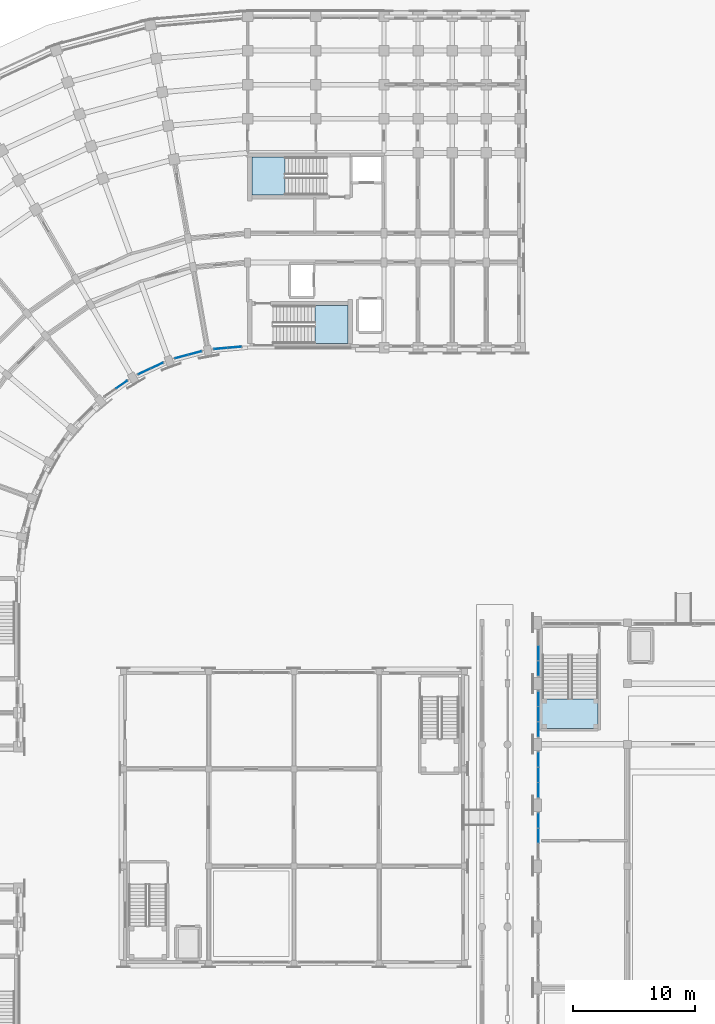
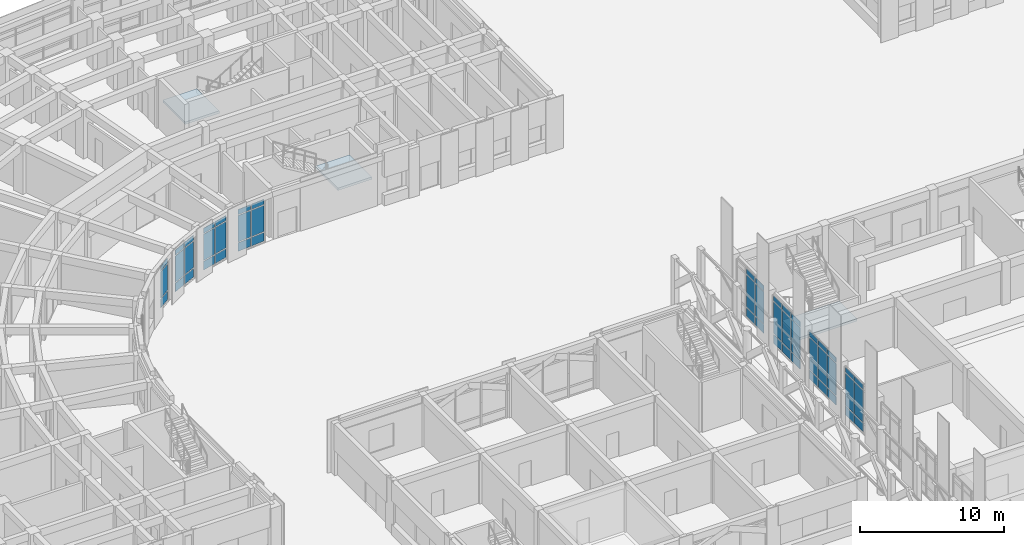
# One storey, part 67 of 135: 51 plates, 3 slabs, 11 elements without a shape of their own.
"""IFC4 building model written with IfcOpenShell, lengths in metres."""

from ifc_helpers import new_model, si_unit, direction, frame, origin, origin_2d, place, context, subcontext, project, spatial, polyline, rectangle, outline, extrude, material, layer, layer_set, type_object, element, aggregate, save


model = new_model("IFC4")

# Units and contexts
model_context = context("Model", 3, precision=1e-05, world=origin(), true_north=direction((0.0, 1.0)))
body_context = subcontext(model_context, "Body", "Model", "MODEL_VIEW")
ifc_project = project(units=[si_unit("LENGTHUNIT", "METRE"), si_unit("AREAUNIT", "SQUARE_METRE"), si_unit("VOLUMEUNIT", "CUBIC_METRE"), si_unit("PLANEANGLEUNIT", "RADIAN"), si_unit("MASSUNIT", "GRAM", prefix="KILO")], contexts=[model_context])

# Site, building, storey
site_placement = place(None, origin())
site = spatial("IfcSite", under=ifc_project, at=site_placement, CompositionType="ELEMENT")
building_placement = place(site_placement, origin())
building = spatial("IfcBuilding", under=site, at=building_placement, Name="Kiranvali Square Residences", CompositionType="ELEMENT")
storey_placement = place(building_placement, origin())
storey = spatial("IfcBuildingStorey", under=building, at=storey_placement, Name="L00", CompositionType="ELEMENT", Elevation=0.0)

# Curtain wall, plates
ifc_material_1 = material(Name="Anodised bronze aluminium framing", Category="aluminium")
curtain_wall_type_1 = type_object("IfcCurtainWallType", Name="CW-RET-SHOP", PredefinedType="USERDEFINED", material=ifc_material_1)
curtain_wall_1_placement = place(storey_placement, origin())
curtain_wall_1 = element("IfcCurtainWall", 1, at=curtain_wall_1_placement, inside=storey, type_object=curtain_wall_type_1, Name="Block A L00 garden foyer curtain wall 1", ObjectType="CURTAIN WALL", PredefinedType="USERDEFINED")
ifc_material_2 = material(Name="Solar-control low-e double glazing", Category="glass")
ifc_layer_1 = layer(ifc_material_2, 0.028076171875)
ifc_layer_set_1 = layer_set([ifc_layer_1], Name="Solar-control low-e double glazing")
plate_type_1 = type_object("IfcPlateType", Name="PLT-CW-GLZ", PredefinedType="CURTAIN_PANEL", material=ifc_layer_set_1)
plate_1_placement = place(storey_placement, frame((47.124267578125, 106.62646484375, 0.89013671875), z_axis=(0.0, 0.0, 1.0), x_axis=(-0.996194698092, -0.087155742748, 0.0)))
plate_1 = element("IfcPlate", 2, at=plate_1_placement, type_object=plate_type_1, Name="CW-A-L00-GDN-00 glazed panel 1.2", PredefinedType="CURTAIN_PANEL", context=body_context, shape_type="SweptSolid", body=[
    extrude(rectangle(XDim=1.05859375, YDim=0.028076171875, at=origin_2d()), origin(), (0.0, 0.0, 1.0), 2.219970703125),
])
plate_2_placement = place(storey_placement, frame((47.124267578125, 106.62646484375, 3.18994140625), z_axis=(0.0, 0.0, 1.0), x_axis=(-0.996194698092, -0.087155742748, 0.0)))
plate_2 = element("IfcPlate", 3, at=plate_2_placement, type_object=plate_type_1, Name="CW-A-L00-GDN-00 glazed panel 1.3", PredefinedType="CURTAIN_PANEL", context=body_context, shape_type="SweptSolid", body=[
    extrude(rectangle(XDim=1.05859375, YDim=0.028076171875, at=origin_2d()), origin(), (0.0, 0.0, 1.0), 0.429931640625),
])
plate_3_placement = place(storey_placement, frame((45.990234375, 106.527099609375, 0.89013671875), z_axis=(0.0, 0.0, 1.0), x_axis=(-0.996194698092, -0.087155742748, 0.0)))
plate_3 = element("IfcPlate", 4, at=plate_3_placement, type_object=plate_type_1, Name="CW-A-L00-GDN-00 glazed panel 2.2", PredefinedType="CURTAIN_PANEL", context=body_context, shape_type="SweptSolid", body=[
    extrude(rectangle(XDim=1.05859375, YDim=0.028076171875, at=origin_2d()), origin(), (0.0, 0.0, 1.0), 2.219970703125),
])
plate_4_placement = place(storey_placement, frame((45.990234375, 106.527099609375, 3.18994140625), z_axis=(0.0, 0.0, 1.0), x_axis=(-0.996194698092, -0.087155742748, 0.0)))
plate_4 = element("IfcPlate", 5, at=plate_4_placement, type_object=plate_type_1, Name="CW-A-L00-GDN-00 glazed panel 2.3", PredefinedType="CURTAIN_PANEL", context=body_context, shape_type="SweptSolid", body=[
    extrude(rectangle(XDim=1.05859375, YDim=0.028076171875, at=origin_2d()), origin(), (0.0, 0.0, 1.0), 0.429931640625),
])

curtain_wall_2_placement = place(storey_placement, origin())
curtain_wall_2 = element("IfcCurtainWall", 6, at=curtain_wall_2_placement, inside=storey, type_object=curtain_wall_type_1, Name="Block A L00 garden foyer curtain wall 2", ObjectType="CURTAIN WALL", PredefinedType="USERDEFINED")
plate_5_placement = place(storey_placement, frame((43.87158203125, 106.153564453125, 0.89013671875), z_axis=(0.0, 0.0, 1.0), x_axis=(-0.965925826289, -0.258819045103, 0.0)))
plate_5 = element("IfcPlate", 7, at=plate_5_placement, type_object=plate_type_1, Name="CW-A-L00-GDN-01 glazed panel 1.2", PredefinedType="CURTAIN_PANEL", context=body_context, shape_type="SweptSolid", body=[
    extrude(rectangle(XDim=1.05859375, YDim=0.028076171875, at=origin_2d()), origin(), (0.0, 0.0, 1.0), 2.219970703125),
])
plate_6_placement = place(storey_placement, frame((43.87158203125, 106.153564453125, 3.18994140625), z_axis=(0.0, 0.0, 1.0), x_axis=(-0.965925826289, -0.258819045103, 0.0)))
plate_6 = element("IfcPlate", 8, at=plate_6_placement, type_object=plate_type_1, Name="CW-A-L00-GDN-01 glazed panel 1.3", PredefinedType="CURTAIN_PANEL", context=body_context, shape_type="SweptSolid", body=[
    extrude(rectangle(XDim=1.05859375, YDim=0.028076171875, at=origin_2d()), origin(), (0.0, 0.0, 1.0), 0.429931640625),
])
plate_7_placement = place(storey_placement, frame((42.771728515625, 105.85888671875, 0.89013671875), z_axis=(0.0, 0.0, 1.0), x_axis=(-0.965925826289, -0.258819045103, 0.0)))
plate_7 = element("IfcPlate", 9, at=plate_7_placement, type_object=plate_type_1, Name="CW-A-L00-GDN-01 glazed panel 2.2", PredefinedType="CURTAIN_PANEL", context=body_context, shape_type="SweptSolid", body=[
    extrude(rectangle(XDim=1.05859375, YDim=0.028076171875, at=origin_2d()), origin(), (0.0, 0.0, 1.0), 2.219970703125),
])
plate_8_placement = place(storey_placement, frame((42.771728515625, 105.85888671875, 3.18994140625), z_axis=(0.0, 0.0, 1.0), x_axis=(-0.965925826289, -0.258819045103, 0.0)))
plate_8 = element("IfcPlate", 10, at=plate_8_placement, type_object=plate_type_1, Name="CW-A-L00-GDN-01 glazed panel 2.3", PredefinedType="CURTAIN_PANEL", context=body_context, shape_type="SweptSolid", body=[
    extrude(rectangle(XDim=1.05859375, YDim=0.028076171875, at=origin_2d()), origin(), (0.0, 0.0, 1.0), 0.429931640625),
])

curtain_wall_3_placement = place(storey_placement, origin())
curtain_wall_3 = element("IfcCurtainWall", 11, at=curtain_wall_3_placement, inside=storey, type_object=curtain_wall_type_1, Name="Block A L00 garden foyer curtain wall 3", ObjectType="CURTAIN WALL", PredefinedType="USERDEFINED")
plate_9_placement = place(storey_placement, frame((40.750244140625, 105.123046875, 0.89013671875), z_axis=(0.0, 0.0, 1.0), x_axis=(-0.906307787037, -0.422618261741, 0.0)))
plate_9 = element("IfcPlate", 12, at=plate_9_placement, type_object=plate_type_1, Name="CW-A-L00-GDN-02 glazed panel 1.2", PredefinedType="CURTAIN_PANEL", context=body_context, shape_type="SweptSolid", body=[
    extrude(rectangle(XDim=1.05859375, YDim=0.028076171875, at=origin_2d()), origin(), (0.0, 0.0, 1.0), 2.219970703125),
])
plate_10_placement = place(storey_placement, frame((40.750244140625, 105.123046875, 3.18994140625), z_axis=(0.0, 0.0, 1.0), x_axis=(-0.906307787037, -0.422618261741, 0.0)))
plate_10 = element("IfcPlate", 13, at=plate_10_placement, type_object=plate_type_1, Name="CW-A-L00-GDN-02 glazed panel 1.3", PredefinedType="CURTAIN_PANEL", context=body_context, shape_type="SweptSolid", body=[
    extrude(rectangle(XDim=1.05859375, YDim=0.028076171875, at=origin_2d()), origin(), (0.0, 0.0, 1.0), 0.429931640625),
])
plate_11_placement = place(storey_placement, frame((39.71826171875, 104.641845703125, 0.89013671875), z_axis=(0.0, 0.0, 1.0), x_axis=(-0.906307787037, -0.422618261741, 0.0)))
plate_11 = element("IfcPlate", 14, at=plate_11_placement, type_object=plate_type_1, Name="CW-A-L00-GDN-02 glazed panel 2.2", PredefinedType="CURTAIN_PANEL", context=body_context, shape_type="SweptSolid", body=[
    extrude(rectangle(XDim=1.05859375, YDim=0.028076171875, at=origin_2d()), origin(), (0.0, 0.0, 1.0), 2.219970703125),
])
plate_12_placement = place(storey_placement, frame((39.71826171875, 104.641845703125, 3.18994140625), z_axis=(0.0, 0.0, 1.0), x_axis=(-0.906307787037, -0.422618261741, 0.0)))
plate_12 = element("IfcPlate", 15, at=plate_12_placement, type_object=plate_type_1, Name="CW-A-L00-GDN-02 glazed panel 2.3", PredefinedType="CURTAIN_PANEL", context=body_context, shape_type="SweptSolid", body=[
    extrude(rectangle(XDim=1.05859375, YDim=0.028076171875, at=origin_2d()), origin(), (0.0, 0.0, 1.0), 0.429931640625),
])

curtain_wall_4_placement = place(storey_placement, origin())
curtain_wall_4 = element("IfcCurtainWall", 16, at=curtain_wall_4_placement, inside=storey, type_object=curtain_wall_type_1, Name="Block A L00 garden foyer curtain wall 4", ObjectType="CURTAIN WALL", PredefinedType="USERDEFINED")
plate_13_placement = place(storey_placement, frame((37.855224609375, 103.566162109375, 0.89013671875), z_axis=(0.0, 0.0, 1.0), x_axis=(-0.819152044289, -0.573576436351, 0.0)))
plate_13 = element("IfcPlate", 17, at=plate_13_placement, type_object=plate_type_1, Name="CW-A-L00-GDN-03 glazed panel 1.2", PredefinedType="CURTAIN_PANEL", context=body_context, shape_type="SweptSolid", body=[
    extrude(rectangle(XDim=1.05859375, YDim=0.028076171875, at=origin_2d()), origin(), (0.0, 0.0, 1.0), 2.219970703125),
])
plate_14_placement = place(storey_placement, frame((37.855224609375, 103.566162109375, 3.18994140625), z_axis=(0.0, 0.0, 1.0), x_axis=(-0.819152044289, -0.573576436351, 0.0)))
plate_14 = element("IfcPlate", 18, at=plate_14_placement, type_object=plate_type_1, Name="CW-A-L00-GDN-03 glazed panel 1.3", PredefinedType="CURTAIN_PANEL", context=body_context, shape_type="SweptSolid", body=[
    extrude(rectangle(XDim=1.05859375, YDim=0.028076171875, at=origin_2d()), origin(), (0.0, 0.0, 1.0), 0.429931640625),
])

curtain_wall_type_2 = type_object("IfcCurtainWallType", Name="CW-CH-GLZ", PredefinedType="USERDEFINED", material=ifc_material_1)
curtain_wall_5_placement = place(storey_placement, origin())
curtain_wall_5 = element("IfcCurtainWall", 19, at=curtain_wall_5_placement, inside=storey, type_object=curtain_wall_type_2, Name="Community Hall L00 W glazed arcade bay 5", ObjectType="CURTAIN WALL", PredefinedType="USERDEFINED")
plate_15_placement = place(storey_placement, frame((72.080078125, 66.5, 0.89013671875), z_axis=(0.0, 0.0, 1.0), x_axis=(0.0, 1.0, 0.0)))
plate_15 = element("IfcPlate", 20, at=plate_15_placement, type_object=plate_type_1, Name="CW-CH-L00-W5 glazed panel 2.2", PredefinedType="CURTAIN_PANEL", context=body_context, shape_type="SweptSolid", body=[
    extrude(rectangle(XDim=1.166748046875, YDim=0.028076171875, at=origin_2d()), origin(), (0.0, 0.0, 1.0), 2.699951171875),
])
plate_16_placement = place(storey_placement, frame((72.080078125, 66.5, 3.669921875), z_axis=(0.0, 0.0, 1.0), x_axis=(0.0, 1.0, 0.0)))
plate_16 = element("IfcPlate", 21, at=plate_16_placement, type_object=plate_type_1, Name="CW-CH-L00-W5 glazed panel 2.3", PredefinedType="CURTAIN_PANEL", context=body_context, shape_type="SweptSolid", body=[
    extrude(rectangle(XDim=1.166748046875, YDim=0.028076171875, at=origin_2d()), origin(), (0.0, 0.0, 1.0), 0.429931640625),
])
plate_17_placement = place(storey_placement, frame((72.080078125, 67.74658203125, 0.89013671875), z_axis=(0.0, 0.0, 1.0), x_axis=(0.0, 1.0, 0.0)))
plate_17 = element("IfcPlate", 22, at=plate_17_placement, type_object=plate_type_1, Name="CW-CH-L00-W5 glazed panel 3.2", PredefinedType="CURTAIN_PANEL", context=body_context, shape_type="SweptSolid", body=[
    extrude(rectangle(XDim=1.166748046875, YDim=0.028076171875, at=origin_2d()), origin(), (0.0, 0.0, 1.0), 2.699951171875),
])
plate_18_placement = place(storey_placement, frame((72.080078125, 67.74658203125, 3.669921875), z_axis=(0.0, 0.0, 1.0), x_axis=(0.0, 1.0, 0.0)))
plate_18 = element("IfcPlate", 23, at=plate_18_placement, type_object=plate_type_1, Name="CW-CH-L00-W5 glazed panel 3.3", PredefinedType="CURTAIN_PANEL", context=body_context, shape_type="SweptSolid", body=[
    extrude(rectangle(XDim=1.166748046875, YDim=0.028076171875, at=origin_2d()), origin(), (0.0, 0.0, 1.0), 0.429931640625),
])

curtain_wall_6_placement = place(storey_placement, origin())
curtain_wall_6 = element("IfcCurtainWall", 24, at=curtain_wall_6_placement, inside=storey, type_object=curtain_wall_type_2, Name="Community Hall L00 W glazed arcade bay 6", ObjectType="CURTAIN WALL", PredefinedType="USERDEFINED")
plate_19_placement = place(storey_placement, frame((72.080078125, 70.25341796875, 0.89013671875), z_axis=(0.0, 0.0, 1.0), x_axis=(0.0, 1.0, 0.0)))
plate_19 = element("IfcPlate", 25, at=plate_19_placement, type_object=plate_type_1, Name="CW-CH-L00-W6 glazed panel 1.2", PredefinedType="CURTAIN_PANEL", context=body_context, shape_type="SweptSolid", body=[
    extrude(rectangle(XDim=1.166748046875, YDim=0.028076171875, at=origin_2d()), origin(), (0.0, 0.0, 1.0), 2.699951171875),
])
plate_20_placement = place(storey_placement, frame((72.080078125, 70.25341796875, 3.669921875), z_axis=(0.0, 0.0, 1.0), x_axis=(0.0, 1.0, 0.0)))
plate_20 = element("IfcPlate", 26, at=plate_20_placement, type_object=plate_type_1, Name="CW-CH-L00-W6 glazed panel 1.3", PredefinedType="CURTAIN_PANEL", context=body_context, shape_type="SweptSolid", body=[
    extrude(rectangle(XDim=1.166748046875, YDim=0.028076171875, at=origin_2d()), origin(), (0.0, 0.0, 1.0), 0.429931640625),
])
plate_21_placement = place(storey_placement, frame((72.080078125, 71.5, 0.89013671875), z_axis=(0.0, 0.0, 1.0), x_axis=(0.0, 1.0, 0.0)))
plate_21 = element("IfcPlate", 27, at=plate_21_placement, type_object=plate_type_1, Name="CW-CH-L00-W6 glazed panel 2.2", PredefinedType="CURTAIN_PANEL", context=body_context, shape_type="SweptSolid", body=[
    extrude(rectangle(XDim=1.166748046875, YDim=0.028076171875, at=origin_2d()), origin(), (0.0, 0.0, 1.0), 2.699951171875),
])
plate_22_placement = place(storey_placement, frame((72.080078125, 71.5, 3.669921875), z_axis=(0.0, 0.0, 1.0), x_axis=(0.0, 1.0, 0.0)))
plate_22 = element("IfcPlate", 28, at=plate_22_placement, type_object=plate_type_1, Name="CW-CH-L00-W6 glazed panel 2.3", PredefinedType="CURTAIN_PANEL", context=body_context, shape_type="SweptSolid", body=[
    extrude(rectangle(XDim=1.166748046875, YDim=0.028076171875, at=origin_2d()), origin(), (0.0, 0.0, 1.0), 0.429931640625),
])
plate_23_placement = place(storey_placement, frame((72.080078125, 72.74658203125, 0.89013671875), z_axis=(0.0, 0.0, 1.0), x_axis=(0.0, 1.0, 0.0)))
plate_23 = element("IfcPlate", 29, at=plate_23_placement, type_object=plate_type_1, Name="CW-CH-L00-W6 glazed panel 3.2", PredefinedType="CURTAIN_PANEL", context=body_context, shape_type="SweptSolid", body=[
    extrude(rectangle(XDim=1.166748046875, YDim=0.028076171875, at=origin_2d()), origin(), (0.0, 0.0, 1.0), 2.699951171875),
])
plate_24_placement = place(storey_placement, frame((72.080078125, 72.74658203125, 3.669921875), z_axis=(0.0, 0.0, 1.0), x_axis=(0.0, 1.0, 0.0)))
plate_24 = element("IfcPlate", 30, at=plate_24_placement, type_object=plate_type_1, Name="CW-CH-L00-W6 glazed panel 3.3", PredefinedType="CURTAIN_PANEL", context=body_context, shape_type="SweptSolid", body=[
    extrude(rectangle(XDim=1.166748046875, YDim=0.028076171875, at=origin_2d()), origin(), (0.0, 0.0, 1.0), 0.429931640625),
])

curtain_wall_7_placement = place(storey_placement, origin())
curtain_wall_7 = element("IfcCurtainWall", 31, at=curtain_wall_7_placement, inside=storey, type_object=curtain_wall_type_2, Name="Community Hall L00 W glazed arcade bay 7", ObjectType="CURTAIN WALL", PredefinedType="USERDEFINED")
plate_25_placement = place(storey_placement, frame((72.080078125, 75.25341796875, 0.89013671875), z_axis=(0.0, 0.0, 1.0), x_axis=(0.0, 1.0, 0.0)))
plate_25 = element("IfcPlate", 32, at=plate_25_placement, type_object=plate_type_1, Name="CW-CH-L00-W7 glazed panel 1.2", PredefinedType="CURTAIN_PANEL", context=body_context, shape_type="SweptSolid", body=[
    extrude(rectangle(XDim=1.166748046875, YDim=0.028076171875, at=origin_2d()), origin(), (0.0, 0.0, 1.0), 2.699951171875),
])
plate_26_placement = place(storey_placement, frame((72.080078125, 75.25341796875, 3.669921875), z_axis=(0.0, 0.0, 1.0), x_axis=(0.0, 1.0, 0.0)))
plate_26 = element("IfcPlate", 33, at=plate_26_placement, type_object=plate_type_1, Name="CW-CH-L00-W7 glazed panel 1.3", PredefinedType="CURTAIN_PANEL", context=body_context, shape_type="SweptSolid", body=[
    extrude(rectangle(XDim=1.166748046875, YDim=0.028076171875, at=origin_2d()), origin(), (0.0, 0.0, 1.0), 0.429931640625),
])
plate_27_placement = place(storey_placement, frame((72.080078125, 76.5, 0.89013671875), z_axis=(0.0, 0.0, 1.0), x_axis=(0.0, 1.0, 0.0)))
plate_27 = element("IfcPlate", 34, at=plate_27_placement, type_object=plate_type_1, Name="CW-CH-L00-W7 glazed panel 2.2", PredefinedType="CURTAIN_PANEL", context=body_context, shape_type="SweptSolid", body=[
    extrude(rectangle(XDim=1.166748046875, YDim=0.028076171875, at=origin_2d()), origin(), (0.0, 0.0, 1.0), 2.699951171875),
])
plate_28_placement = place(storey_placement, frame((72.080078125, 76.5, 3.669921875), z_axis=(0.0, 0.0, 1.0), x_axis=(0.0, 1.0, 0.0)))
plate_28 = element("IfcPlate", 35, at=plate_28_placement, type_object=plate_type_1, Name="CW-CH-L00-W7 glazed panel 2.3", PredefinedType="CURTAIN_PANEL", context=body_context, shape_type="SweptSolid", body=[
    extrude(rectangle(XDim=1.166748046875, YDim=0.028076171875, at=origin_2d()), origin(), (0.0, 0.0, 1.0), 0.429931640625),
])
plate_29_placement = place(storey_placement, frame((72.080078125, 77.74658203125, 0.89013671875), z_axis=(0.0, 0.0, 1.0), x_axis=(0.0, 1.0, 0.0)))
plate_29 = element("IfcPlate", 36, at=plate_29_placement, type_object=plate_type_1, Name="CW-CH-L00-W7 glazed panel 3.2", PredefinedType="CURTAIN_PANEL", context=body_context, shape_type="SweptSolid", body=[
    extrude(rectangle(XDim=1.166748046875, YDim=0.028076171875, at=origin_2d()), origin(), (0.0, 0.0, 1.0), 2.699951171875),
])
plate_30_placement = place(storey_placement, frame((72.080078125, 77.74658203125, 3.669921875), z_axis=(0.0, 0.0, 1.0), x_axis=(0.0, 1.0, 0.0)))
plate_30 = element("IfcPlate", 37, at=plate_30_placement, type_object=plate_type_1, Name="CW-CH-L00-W7 glazed panel 3.3", PredefinedType="CURTAIN_PANEL", context=body_context, shape_type="SweptSolid", body=[
    extrude(rectangle(XDim=1.166748046875, YDim=0.028076171875, at=origin_2d()), origin(), (0.0, 0.0, 1.0), 0.429931640625),
])

curtain_wall_8_placement = place(storey_placement, origin())
curtain_wall_8 = element("IfcCurtainWall", 38, at=curtain_wall_8_placement, inside=storey, type_object=curtain_wall_type_2, Name="Community Hall L00 W glazed arcade bay 8", ObjectType="CURTAIN WALL", PredefinedType="USERDEFINED")
plate_31_placement = place(storey_placement, frame((72.080078125, 80.25341796875, 0.89013671875), z_axis=(0.0, 0.0, 1.0), x_axis=(0.0, 1.0, 0.0)))
plate_31 = element("IfcPlate", 39, at=plate_31_placement, type_object=plate_type_1, Name="CW-CH-L00-W8 glazed panel 1.2", PredefinedType="CURTAIN_PANEL", context=body_context, shape_type="SweptSolid", body=[
    extrude(rectangle(XDim=1.166748046875, YDim=0.028076171875, at=origin_2d()), origin(), (0.0, 0.0, 1.0), 2.699951171875),
])
plate_32_placement = place(storey_placement, frame((72.080078125, 80.25341796875, 3.669921875), z_axis=(0.0, 0.0, 1.0), x_axis=(0.0, 1.0, 0.0)))
plate_32 = element("IfcPlate", 40, at=plate_32_placement, type_object=plate_type_1, Name="CW-CH-L00-W8 glazed panel 1.3", PredefinedType="CURTAIN_PANEL", context=body_context, shape_type="SweptSolid", body=[
    extrude(rectangle(XDim=1.166748046875, YDim=0.028076171875, at=origin_2d()), origin(), (0.0, 0.0, 1.0), 0.429931640625),
])
plate_33_placement = place(storey_placement, frame((72.080078125, 81.5, 0.89013671875), z_axis=(0.0, 0.0, 1.0), x_axis=(0.0, 1.0, 0.0)))
plate_33 = element("IfcPlate", 41, at=plate_33_placement, type_object=plate_type_1, Name="CW-CH-L00-W8 glazed panel 2.2", PredefinedType="CURTAIN_PANEL", context=body_context, shape_type="SweptSolid", body=[
    extrude(rectangle(XDim=1.166748046875, YDim=0.028076171875, at=origin_2d()), origin(), (0.0, 0.0, 1.0), 2.699951171875),
])
plate_34_placement = place(storey_placement, frame((72.080078125, 81.5, 3.669921875), z_axis=(0.0, 0.0, 1.0), x_axis=(0.0, 1.0, 0.0)))
plate_34 = element("IfcPlate", 42, at=plate_34_placement, type_object=plate_type_1, Name="CW-CH-L00-W8 glazed panel 2.3", PredefinedType="CURTAIN_PANEL", context=body_context, shape_type="SweptSolid", body=[
    extrude(rectangle(XDim=1.166748046875, YDim=0.028076171875, at=origin_2d()), origin(), (0.0, 0.0, 1.0), 0.429931640625),
])

# Plate
ifc_material_3 = material(Name="Honed Porbandar limestone ashlar facade cladding", Category="masonry")
ifc_layer_2 = layer(ifc_material_3, 0.02392578125)
ifc_layer_set_2 = layer_set([ifc_layer_2], Name="Honed Porbandar limestone ashlar facade cladding")
plate_type_2 = type_object("IfcPlateType", Name="PLT-CW-SPN", PredefinedType="SHEET", material=ifc_layer_set_2)
plate_35_placement = place(storey_placement, frame((47.124267578125, 106.62646484375, 0.080078125), z_axis=(0.0, 0.0, 1.0), x_axis=(-0.996194698092, -0.087155742748, 0.0)))
plate_35 = element("IfcPlate", 43, at=plate_35_placement, type_object=plate_type_2, Name="CW-A-L00-GDN-00 spandrel panel 1.1", PredefinedType="SHEET", context=body_context, shape_type="SweptSolid", body=[
    extrude(rectangle(XDim=1.05859375, YDim=0.02392578125, at=origin_2d()), origin(), (0.0, 0.0, 1.0), 0.72998046875),
])

plate_36_placement = place(storey_placement, frame((45.990234375, 106.527099609375, 0.080078125), z_axis=(0.0, 0.0, 1.0), x_axis=(-0.996194698092, -0.087155742748, 0.0)))
plate_36 = element("IfcPlate", 44, at=plate_36_placement, type_object=plate_type_2, Name="CW-A-L00-GDN-00 spandrel panel 2.1", PredefinedType="SHEET", context=body_context, shape_type="SweptSolid", body=[
    extrude(rectangle(XDim=1.05859375, YDim=0.02392578125, at=origin_2d()), origin(), (0.0, 0.0, 1.0), 0.72998046875),
])

aggregate(curtain_wall_1, [plate_35, plate_1, plate_2, plate_36, plate_3, plate_4])

plate_37_placement = place(storey_placement, frame((43.87158203125, 106.153564453125, 0.080078125), z_axis=(0.0, 0.0, 1.0), x_axis=(-0.965925826289, -0.258819045103, 0.0)))
plate_37 = element("IfcPlate", 45, at=plate_37_placement, type_object=plate_type_2, Name="CW-A-L00-GDN-01 spandrel panel 1.1", PredefinedType="SHEET", context=body_context, shape_type="SweptSolid", body=[
    extrude(rectangle(XDim=1.05859375, YDim=0.02392578125, at=origin_2d()), origin(), (0.0, 0.0, 1.0), 0.72998046875),
])

plate_38_placement = place(storey_placement, frame((42.771728515625, 105.85888671875, 0.080078125), z_axis=(0.0, 0.0, 1.0), x_axis=(-0.965925826289, -0.258819045103, 0.0)))
plate_38 = element("IfcPlate", 46, at=plate_38_placement, type_object=plate_type_2, Name="CW-A-L00-GDN-01 spandrel panel 2.1", PredefinedType="SHEET", context=body_context, shape_type="SweptSolid", body=[
    extrude(rectangle(XDim=1.05859375, YDim=0.02392578125, at=origin_2d()), origin(), (0.0, 0.0, 1.0), 0.72998046875),
])

aggregate(curtain_wall_2, [plate_37, plate_5, plate_6, plate_38, plate_7, plate_8])

plate_39_placement = place(storey_placement, frame((40.750244140625, 105.123046875, 0.080078125), z_axis=(0.0, 0.0, 1.0), x_axis=(-0.906307787037, -0.422618261741, 0.0)))
plate_39 = element("IfcPlate", 47, at=plate_39_placement, type_object=plate_type_2, Name="CW-A-L00-GDN-02 spandrel panel 1.1", PredefinedType="SHEET", context=body_context, shape_type="SweptSolid", body=[
    extrude(rectangle(XDim=1.05859375, YDim=0.02392578125, at=origin_2d()), origin(), (0.0, 0.0, 1.0), 0.72998046875),
])

plate_40_placement = place(storey_placement, frame((39.71826171875, 104.641845703125, 0.080078125), z_axis=(0.0, 0.0, 1.0), x_axis=(-0.906307787037, -0.422618261741, 0.0)))
plate_40 = element("IfcPlate", 48, at=plate_40_placement, type_object=plate_type_2, Name="CW-A-L00-GDN-02 spandrel panel 2.1", PredefinedType="SHEET", context=body_context, shape_type="SweptSolid", body=[
    extrude(rectangle(XDim=1.05859375, YDim=0.02392578125, at=origin_2d()), origin(), (0.0, 0.0, 1.0), 0.72998046875),
])

aggregate(curtain_wall_3, [plate_39, plate_9, plate_10, plate_40, plate_11, plate_12])

plate_41_placement = place(storey_placement, frame((37.855224609375, 103.566162109375, 0.080078125), z_axis=(0.0, 0.0, 1.0), x_axis=(-0.819152044289, -0.573576436351, 0.0)))
plate_41 = element("IfcPlate", 49, at=plate_41_placement, type_object=plate_type_2, Name="CW-A-L00-GDN-03 spandrel panel 1.1", PredefinedType="SHEET", context=body_context, shape_type="SweptSolid", body=[
    extrude(rectangle(XDim=1.05859375, YDim=0.02392578125, at=origin_2d()), origin(), (0.0, 0.0, 1.0), 0.72998046875),
])

aggregate(curtain_wall_4, [plate_41, plate_13, plate_14])

plate_42_placement = place(storey_placement, frame((72.080078125, 66.5, 0.080078125), z_axis=(0.0, 0.0, 1.0), x_axis=(0.0, 1.0, 0.0)))
plate_42 = element("IfcPlate", 50, at=plate_42_placement, type_object=plate_type_2, Name="CW-CH-L00-W5 spandrel panel 2.1", PredefinedType="SHEET", context=body_context, shape_type="SweptSolid", body=[
    extrude(rectangle(XDim=1.166748046875, YDim=0.02392578125, at=origin_2d()), origin(), (0.0, 0.0, 1.0), 0.72998046875),
])

plate_43_placement = place(storey_placement, frame((72.080078125, 67.74658203125, 0.080078125), z_axis=(0.0, 0.0, 1.0), x_axis=(0.0, 1.0, 0.0)))
plate_43 = element("IfcPlate", 51, at=plate_43_placement, type_object=plate_type_2, Name="CW-CH-L00-W5 spandrel panel 3.1", PredefinedType="SHEET", context=body_context, shape_type="SweptSolid", body=[
    extrude(rectangle(XDim=1.166748046875, YDim=0.02392578125, at=origin_2d()), origin(), (0.0, 0.0, 1.0), 0.72998046875),
])

aggregate(curtain_wall_5, [plate_42, plate_15, plate_16, plate_43, plate_17, plate_18])

plate_44_placement = place(storey_placement, frame((72.080078125, 70.25341796875, 0.080078125), z_axis=(0.0, 0.0, 1.0), x_axis=(0.0, 1.0, 0.0)))
plate_44 = element("IfcPlate", 52, at=plate_44_placement, type_object=plate_type_2, Name="CW-CH-L00-W6 spandrel panel 1.1", PredefinedType="SHEET", context=body_context, shape_type="SweptSolid", body=[
    extrude(rectangle(XDim=1.166748046875, YDim=0.02392578125, at=origin_2d()), origin(), (0.0, 0.0, 1.0), 0.72998046875),
])

plate_45_placement = place(storey_placement, frame((72.080078125, 71.5, 0.080078125), z_axis=(0.0, 0.0, 1.0), x_axis=(0.0, 1.0, 0.0)))
plate_45 = element("IfcPlate", 53, at=plate_45_placement, type_object=plate_type_2, Name="CW-CH-L00-W6 spandrel panel 2.1", PredefinedType="SHEET", context=body_context, shape_type="SweptSolid", body=[
    extrude(rectangle(XDim=1.166748046875, YDim=0.02392578125, at=origin_2d()), origin(), (0.0, 0.0, 1.0), 0.72998046875),
])

plate_46_placement = place(storey_placement, frame((72.080078125, 72.74658203125, 0.080078125), z_axis=(0.0, 0.0, 1.0), x_axis=(0.0, 1.0, 0.0)))
plate_46 = element("IfcPlate", 54, at=plate_46_placement, type_object=plate_type_2, Name="CW-CH-L00-W6 spandrel panel 3.1", PredefinedType="SHEET", context=body_context, shape_type="SweptSolid", body=[
    extrude(rectangle(XDim=1.166748046875, YDim=0.02392578125, at=origin_2d()), origin(), (0.0, 0.0, 1.0), 0.72998046875),
])

aggregate(curtain_wall_6, [plate_44, plate_19, plate_20, plate_45, plate_21, plate_22, plate_46, plate_23, plate_24])

plate_47_placement = place(storey_placement, frame((72.080078125, 75.25341796875, 0.080078125), z_axis=(0.0, 0.0, 1.0), x_axis=(0.0, 1.0, 0.0)))
plate_47 = element("IfcPlate", 55, at=plate_47_placement, type_object=plate_type_2, Name="CW-CH-L00-W7 spandrel panel 1.1", PredefinedType="SHEET", context=body_context, shape_type="SweptSolid", body=[
    extrude(rectangle(XDim=1.166748046875, YDim=0.02392578125, at=origin_2d()), origin(), (0.0, 0.0, 1.0), 0.72998046875),
])

plate_48_placement = place(storey_placement, frame((72.080078125, 76.5, 0.080078125), z_axis=(0.0, 0.0, 1.0), x_axis=(0.0, 1.0, 0.0)))
plate_48 = element("IfcPlate", 56, at=plate_48_placement, type_object=plate_type_2, Name="CW-CH-L00-W7 spandrel panel 2.1", PredefinedType="SHEET", context=body_context, shape_type="SweptSolid", body=[
    extrude(rectangle(XDim=1.166748046875, YDim=0.02392578125, at=origin_2d()), origin(), (0.0, 0.0, 1.0), 0.72998046875),
])

plate_49_placement = place(storey_placement, frame((72.080078125, 77.74658203125, 0.080078125), z_axis=(0.0, 0.0, 1.0), x_axis=(0.0, 1.0, 0.0)))
plate_49 = element("IfcPlate", 57, at=plate_49_placement, type_object=plate_type_2, Name="CW-CH-L00-W7 spandrel panel 3.1", PredefinedType="SHEET", context=body_context, shape_type="SweptSolid", body=[
    extrude(rectangle(XDim=1.166748046875, YDim=0.02392578125, at=origin_2d()), origin(), (0.0, 0.0, 1.0), 0.72998046875),
])

aggregate(curtain_wall_7, [plate_47, plate_25, plate_26, plate_48, plate_27, plate_28, plate_49, plate_29, plate_30])

plate_50_placement = place(storey_placement, frame((72.080078125, 80.25341796875, 0.080078125), z_axis=(0.0, 0.0, 1.0), x_axis=(0.0, 1.0, 0.0)))
plate_50 = element("IfcPlate", 58, at=plate_50_placement, type_object=plate_type_2, Name="CW-CH-L00-W8 spandrel panel 1.1", PredefinedType="SHEET", context=body_context, shape_type="SweptSolid", body=[
    extrude(rectangle(XDim=1.166748046875, YDim=0.02392578125, at=origin_2d()), origin(), (0.0, 0.0, 1.0), 0.72998046875),
])

plate_51_placement = place(storey_placement, frame((72.080078125, 81.5, 0.080078125), z_axis=(0.0, 0.0, 1.0), x_axis=(0.0, 1.0, 0.0)))
plate_51 = element("IfcPlate", 59, at=plate_51_placement, type_object=plate_type_2, Name="CW-CH-L00-W8 spandrel panel 2.1", PredefinedType="SHEET", context=body_context, shape_type="SweptSolid", body=[
    extrude(rectangle(XDim=1.166748046875, YDim=0.02392578125, at=origin_2d()), origin(), (0.0, 0.0, 1.0), 0.72998046875),
])

aggregate(curtain_wall_8, [plate_50, plate_31, plate_32, plate_51, plate_33, plate_34])

# Stair, slab
ifc_material_4 = material(Name="Concrete M35 (35 MPa)", Category="concrete")
stair_type_1 = type_object("IfcStairType", Name="ST-CORE-1700", PredefinedType="HALF_TURN_STAIR", material=ifc_material_4)
stair_1_placement = place(storey_placement, origin())
stair_1 = element("IfcStair", 60, at=stair_1_placement, inside=storey, type_object=stair_type_1, Name="L00 Block A Firefighting Exit Stair 1", PredefinedType="HALF_TURN_STAIR")
ifc_layer_3 = layer(ifc_material_4, 0.199951171875)
ifc_layer_set_3 = layer_set([ifc_layer_3], Name="Concrete M35 (35 MPa)")
slab_type_1 = type_object("IfcSlabType", Name="SLB-LND-200", PredefinedType="LANDING", material=ifc_layer_set_3)
slab_1_placement = place(storey_placement, frame((0.0, 0.0, 2.050048828125)))
slab_1 = element("IfcSlab", 61, at=slab_1_placement, type_object=slab_type_1, Name="ST-A1 landing 1", PredefinedType="LANDING", context=body_context, shape_type="SweptSolid", body=[
    extrude(outline(polyline([(51.280029296875, 122.25), (48.550048828125, 122.25), (48.550048828125, 119.14990234375), (51.280029296875, 119.14990234375), (51.280029296875, 122.25)])), origin(), (0.0, 0.0, 1.0), 0.199951171875),
])
aggregate(stair_1, [slab_1])

stair_2_placement = place(storey_placement, origin())
stair_2 = element("IfcStair", 62, at=stair_2_placement, inside=storey, type_object=stair_type_1, Name="L00 Block A Protected Exit Stair 2", PredefinedType="HALF_TURN_STAIR")
slab_2_placement = place(storey_placement, frame((0.0, 0.0, 2.050048828125)))
slab_2 = element("IfcSlab", 63, at=slab_2_placement, type_object=slab_type_1, Name="ST-A2 landing 1", PredefinedType="LANDING", context=body_context, shape_type="SweptSolid", body=[
    extrude(outline(polyline([(53.719970703125, 106.949951171875), (56.449951171875, 106.949951171875), (56.449951171875, 110.050048828125), (53.719970703125, 110.050048828125), (53.719970703125, 106.949951171875)])), origin(), (0.0, 0.0, 1.0), 0.199951171875),
])
aggregate(stair_2, [slab_2])

stair_type_2 = type_object("IfcStairType", Name="ST-ASM-2200", PredefinedType="HALF_TURN_STAIR", material=ifc_material_4)
stair_3_placement = place(storey_placement, origin())
stair_3 = element("IfcStair", 64, at=stair_3_placement, inside=storey, type_object=stair_type_2, Name="L00 Community Hall Assembly Stair 1", PredefinedType="HALF_TURN_STAIR")
ifc_layer_4 = layer(ifc_material_4, 0.219970703125)
ifc_layer_set_4 = layer_set([ifc_layer_4], Name="Concrete M35 (35 MPa)")
slab_type_2 = type_object("IfcSlabType", Name="SLB-LND-220", PredefinedType="LANDING", material=ifc_layer_set_4)
slab_3_placement = place(storey_placement, frame((0.0, 0.0, 2.050048828125)))
slab_3 = element("IfcSlab", 65, at=slab_3_placement, type_object=slab_type_2, Name="ST-CH1 landing 1", PredefinedType="LANDING", context=body_context, shape_type="SweptSolid", body=[
    extrude(outline(polyline([(72.39990234375, 77.75), (72.39990234375, 75.300048828125), (77.0, 75.300048828125), (77.0, 77.75), (72.39990234375, 77.75)])), origin(), (0.0, 0.0, 1.0), 0.199951171875),
])
aggregate(stair_3, [slab_3])

save(model, "model.ifc")
